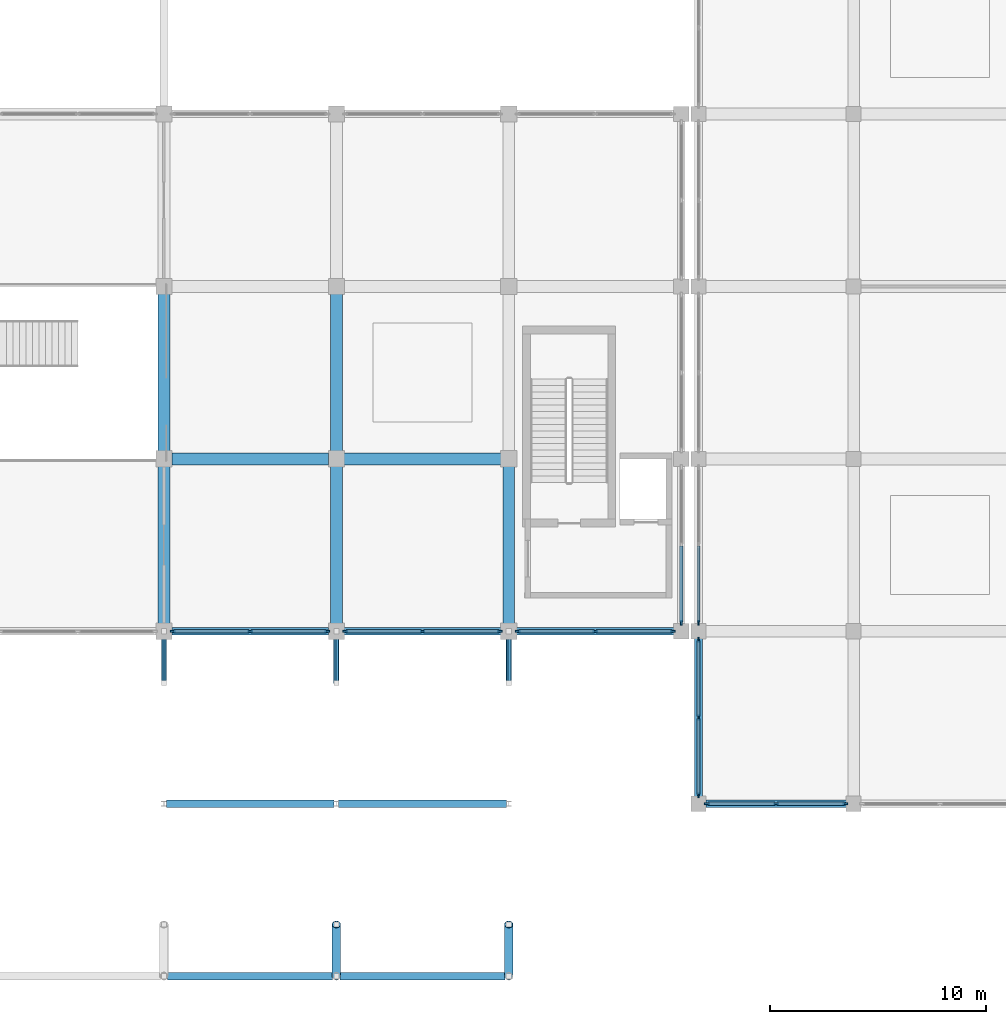
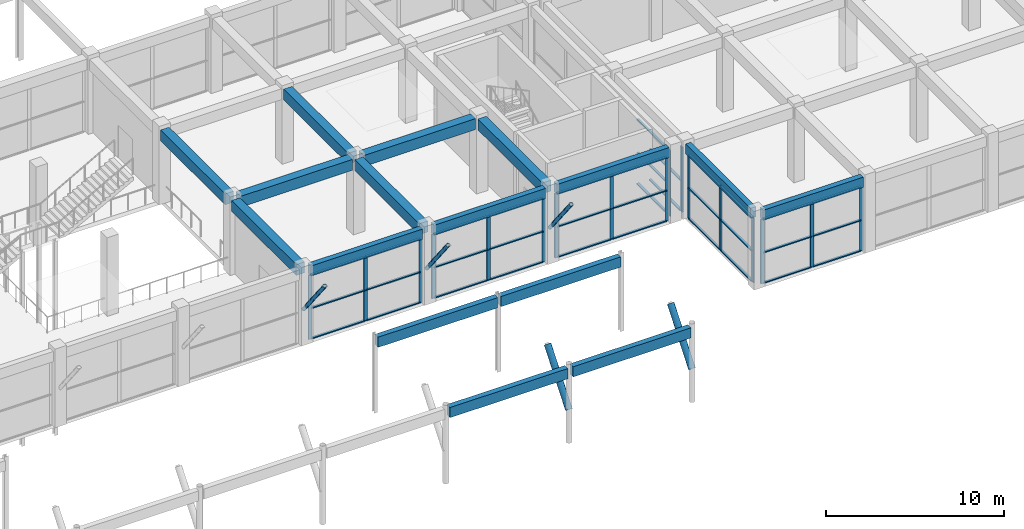
# One storey, part 15 of 69: 57 members, 16 beams, 7 elements without a shape of their own.
"""IFC4 building model written with IfcOpenShell, lengths in metres."""

import ifcopenshell
import ifcopenshell.guid

model = None  # the IFC model being written
_history = None  # IfcOwnerHistory: only IFC2X3 demands one
_inside = {}  # id of a spatial element -> (the spatial element, [elements in it])
_under = {}  # id of a project, library or spatial element -> (it, [spatial elements below it])
_declared = {}  # id of a project -> (the project, [libraries it declares])
_typed = {}  # id of a type object -> (the type object, [elements of that type])
_made_of = {}  # id of a material, layer set ... -> (it, [elements and type objects made of it])


def new_model(schema):
    """Start an empty IFC model of exactly this schema.

    Asked for "IFC4X3", IfcOpenShell would pick the latest addendum, in which some entities
    have other attributes; the version numbers below select the first issue.
    IFC2X3 requires an IfcOwnerHistory on every rooted entity: one is made here for all.
    """
    global model, _history
    if schema == "IFC4X3":
        model = ifcopenshell.file(schema_version=(4, 3, 0, 0))
    else:
        model = ifcopenshell.file(schema=schema)
    _inside.clear()
    _under.clear()
    _declared.clear()
    _typed.clear()
    _made_of.clear()
    _history = None
    if model.schema == "IFC2X3":
        org = make("IfcOrganization", Name="unknown")
        user = make(
            "IfcPersonAndOrganization",
            ThePerson=make("IfcPerson", FamilyName="unknown"),
            TheOrganization=org,
        )
        app = make(
            "IfcApplication",
            ApplicationDeveloper=org,
            Version="unknown",
            ApplicationFullName="unknown",
            ApplicationIdentifier="unknown",
        )
        _history = make(
            "IfcOwnerHistory",
            OwningUser=user,
            OwningApplication=app,
            ChangeAction="ADDED",
            CreationDate=0,
        )
    return model


def make(cls, **values):
    """One entity of the class cls with the attributes given. An attribute that is None is left unset."""
    return model.create_entity(
        cls, **{name: value for name, value in values.items() if value is not None}
    )


def rooted(cls, **values):
    """An entity with a GlobalId (a new one), such as an element, a storey or a relation."""
    return make(cls, GlobalId=ifcopenshell.guid.new(), OwnerHistory=_history, **values)


def si_unit(unit_type, name, prefix=None):
    """IfcSIUnit, for example si_unit("LENGTHUNIT", "METRE", prefix="MILLI")."""
    return make("IfcSIUnit", UnitType=unit_type, Prefix=prefix, Name=name)


def assignment(units):
    """IfcUnitAssignment: the units of a project."""
    return None if units is None else make("IfcUnitAssignment", Units=units)


def point(xyz):
    """IfcCartesianPoint."""
    return None if xyz is None else make("IfcCartesianPoint", Coordinates=xyz)


def direction(xyz):
    """IfcDirection."""
    return None if xyz is None else make("IfcDirection", DirectionRatios=xyz)


def frame(location, z_axis=None, x_axis=None):
    """IfcAxis2Placement3D, a coordinate frame: its origin and axes. An axis left out is left unset."""
    return make(
        "IfcAxis2Placement3D",
        Location=point(location),
        Axis=direction(z_axis),
        RefDirection=direction(x_axis),
    )


def frame_2d(location, x_axis=None):
    """IfcAxis2Placement2D, a coordinate frame in the plane: its origin and x axis."""
    return make(
        "IfcAxis2Placement2D", Location=point(location), RefDirection=direction(x_axis)
    )


def origin():
    """The frame at (0, 0, 0) with its axes left unset."""
    return frame((0.0, 0.0, 0.0))


def origin_2d():
    """The frame at (0, 0) in the plane with its x axis left unset."""
    return frame_2d((0.0, 0.0))


def place(relative_to, where):
    """IfcLocalPlacement: puts the frame where relative to a parent placement (None: the world)."""
    return make(
        "IfcLocalPlacement", PlacementRelTo=relative_to, RelativePlacement=where
    )


def context(
    kind, dimensions, precision=None, world=None, true_north=None, identifier=None
):
    """IfcGeometricRepresentationContext, for example the 3D "Model" context."""
    return make(
        "IfcGeometricRepresentationContext",
        ContextIdentifier=identifier,
        ContextType=kind,
        CoordinateSpaceDimension=dimensions,
        Precision=precision,
        WorldCoordinateSystem=world,
        TrueNorth=true_north,
    )


def subcontext(parent, identifier, kind, view, scale=None):
    """IfcGeometricRepresentationSubContext, for example "Body" below "Model"."""
    return make(
        "IfcGeometricRepresentationSubContext",
        ContextIdentifier=identifier,
        ContextType=kind,
        ParentContext=parent,
        TargetScale=scale,
        TargetView=view,
    )


def project(units=None, contexts=None):
    """IfcProject with its units and contexts."""
    return rooted(
        "IfcProject",
        Name="project",
        RepresentationContexts=contexts,
        UnitsInContext=assignment(units),
    )


def spatial(cls, under=None, at=None, **own):
    """A site, building, storey or space (cls), placed at a placement, below another one or the project."""
    s = rooted(cls, ObjectPlacement=at, **own)
    if under is not None:
        _under.setdefault(under.id(), (under, []))[1].append(s)
    return s


def profile(cls, at=None, kind="AREA", **sizes):
    """A parametric profile (cls). Its sizes go by their IFC names, for example OverallWidth=200.0."""
    return make(cls, ProfileType=kind, Position=at, **sizes)


def rectangle(**sizes):
    """IfcRectangleProfileDef."""
    return profile("IfcRectangleProfileDef", **sizes)


def hollow_circle(**sizes):
    """IfcCircleHollowProfileDef."""
    return profile("IfcCircleHollowProfileDef", **sizes)


def extrude(swept, where, along, depth):
    """IfcExtrudedAreaSolid: the profile swept, set in the frame where, extruded along a direction by depth."""
    return make(
        "IfcExtrudedAreaSolid",
        SweptArea=swept,
        Position=where,
        ExtrudedDirection=direction(along),
        Depth=depth,
    )


def shape(context_of_items, identifier, shape_type, items):
    """IfcShapeRepresentation: the items that make up one representation, for example the "Body"."""
    return make(
        "IfcShapeRepresentation",
        ContextOfItems=context_of_items,
        RepresentationIdentifier=identifier,
        RepresentationType=shape_type,
        Items=items,
    )


def material(Name=None, Category=None):
    """IfcMaterial."""
    return make("IfcMaterial", Name=Name, Category=Category)


def material_profile(
    of_material, cross_section, Name=None, Category=None, Priority=None
):
    """IfcMaterialProfile: a cross section and its material."""
    return make(
        "IfcMaterialProfile",
        Name=Name,
        Material=of_material,
        Profile=cross_section,
        Priority=Priority,
        Category=Category,
    )


def profile_set(profiles, Name=None, composite=None):
    """IfcMaterialProfileSet."""
    return make(
        "IfcMaterialProfileSet",
        Name=Name,
        MaterialProfiles=profiles,
        CompositeProfile=composite,
    )


def made_of(thing, what):
    """Note that an element or type object is made of a material, layer set ...; save() writes the relation."""
    if what is not None:
        _made_of.setdefault(what.id(), (what, []))[1].append(thing)
    return thing


def type_object(cls, material=None, **own):
    """A type object (cls), such as IfcWallType, which elements share."""
    return made_of(rooted(cls, **own), material)


def element(
    cls,
    number,
    at=None,
    inside=None,
    cuts=None,
    type_object=None,
    material=None,
    context=None,
    identifier="Body",
    shape_type=None,
    held_by="IfcProductDefinitionShape",
    body=None,
    shapes=None,
    **own,
):
    """One element of the class cls, such as IfcWall. Its Tag is "e" and its number.

    at: its placement. inside: the storey or other place that contains it. cuts: it is an
    opening in that element (IfcRelVoidsElement). A single representation is given by context,
    identifier, shape_type and body (its items); several are given by shapes. held_by: the class
    of the entity that holds the representations. save() writes the other relations.
    """
    e = rooted(cls, Tag="e%d" % number, ObjectPlacement=at, **own)
    if body is not None:
        shapes = [shape(context, identifier, shape_type, body)]
    if shapes is not None:
        e.Representation = make(held_by, Representations=shapes)
    if inside is not None:
        _inside.setdefault(inside.id(), (inside, []))[1].append(e)
    if cuts is not None:
        rooted(
            "IfcRelVoidsElement", RelatingBuildingElement=cuts, RelatedOpeningElement=e
        )
    if type_object is not None:
        _typed.setdefault(type_object.id(), (type_object, []))[1].append(e)
    return made_of(e, material)


def aggregate(whole, parts):
    """IfcRelAggregates: a whole, such as a stair, and the parts it consists of."""
    return rooted("IfcRelAggregates", RelatingObject=whole, RelatedObjects=parts)


def save(model, path):
    """Write the relations noted so far, then the file.

    IfcRelAggregates (storeys below a building ...), IfcRelContainedInSpatialStructure (elements
    in a storey), IfcRelDefinesByType, IfcRelAssociatesMaterial and IfcRelDeclares: one each for
    every whole, place, type object, material and project.
    """
    for whole, parts in _under.values():
        aggregate(whole, parts)
    for where, things in _inside.values():
        rooted(
            "IfcRelContainedInSpatialStructure",
            RelatedElements=things,
            RelatingStructure=where,
        )
    for kind, things in _typed.values():
        rooted("IfcRelDefinesByType", RelatedObjects=things, RelatingType=kind)
    for what, things in _made_of.values():
        rooted("IfcRelAssociatesMaterial", RelatedObjects=things, RelatingMaterial=what)
    for by, libraries in _declared.values():
        rooted("IfcRelDeclares", RelatingContext=by, RelatedDefinitions=libraries)
    model.write(path)


model = new_model("IFC4")

# Units and contexts
model_context = context("Model", 3, precision=1e-05, world=origin(), true_north=direction((0.0, 1.0)))
body_context = subcontext(model_context, "Body", "Model", "MODEL_VIEW")
ifc_project = project(units=[si_unit("LENGTHUNIT", "METRE"), si_unit("AREAUNIT", "SQUARE_METRE"), si_unit("VOLUMEUNIT", "CUBIC_METRE"), si_unit("PLANEANGLEUNIT", "RADIAN"), si_unit("MASSUNIT", "GRAM", prefix="KILO")], contexts=[model_context])

# Site, building, storey
site_placement = place(None, origin())
site = spatial("IfcSite", under=ifc_project, at=site_placement, CompositionType="ELEMENT")
building_placement = place(site_placement, origin())
building = spatial("IfcBuilding", under=site, at=building_placement, Name="Kenh Van Central Station", CompositionType="ELEMENT")
storey_placement = place(building_placement, frame((0.0, 0.0, 5.39990234375)))
storey = spatial("IfcBuildingStorey", under=building, at=storey_placement, Name="L01", CompositionType="ELEMENT", Elevation=5.39990234375)

# Beams
ifc_material_1 = material(Name="Concrete C35/45", Category="concrete")
ifc_material_profile_1 = material_profile(ifc_material_1, rectangle(XDim=0.550048828125, YDim=0.75, at=origin_2d()), Name="RC 550x750")
ifc_profile_set_1 = profile_set([ifc_material_profile_1], Name="Concrete C35/45")
beam_type_1 = type_object("IfcBeamType", Name="BM-RC-550x750", PredefinedType="BEAM", material=ifc_profile_set_1)
for number, where, z_axis, x_axis, name in (
    (1, (96.364990234375, 24.0, 4.755126953125), (1.0, 0.0, 0.0), (0.0, 1.0, 0.0), "L01 beam 0663"),
    (2, (104.364990234375, 24.0, 4.755126953125), (1.0, 0.0, 0.0), (0.0, 1.0, 0.0), "L01 beam 0664"),
    (3, (96.0, 16.364990234375, 4.755126953125), (0.0, 1.0, 0.0), (-1.0, 0.0, 0.0), "L01 beam 0827"),
    (4, (96.0, 24.364990234375, 4.755126953125), (0.0, 1.0, 0.0), (-1.0, 0.0, 0.0), "L01 beam 0828"),
    (5, (104.0, 16.364990234375, 4.755126953125), (0.0, 1.0, 0.0), (-1.0, 0.0, 0.0), "L01 beam 0833"),
    (6, (104.0, 24.364990234375, 4.755126953125), (0.0, 1.0, 0.0), (-1.0, 0.0, 0.0), "L01 beam 0834"),
    (7, (112.0, 16.364990234375, 4.755126953125), (0.0, 1.0, 0.0), (-1.0, 0.0, 0.0), "L01 beam 0836"),
):
    element("IfcBeam", number, at=place(storey_placement, frame(where, z_axis=z_axis, x_axis=x_axis)), inside=storey, type_object=beam_type_1, Name=name, PredefinedType="BEAM", context=body_context, shape_type="SweptSolid", body=[
        extrude(rectangle(XDim=0.550048828125, YDim=0.75, at=origin_2d()), origin(), (0.0, 0.0, 1.0), 7.27001953125),
    ])

# Curtain wall, members
ifc_material_2 = material(Name="Champagne anodised aluminium", Category="aluminium")
curtain_wall_type_1 = type_object("IfcCurtainWallType", Name="CW-OPER-A", PredefinedType="NOTDEFINED", material=ifc_material_2)
curtain_wall_1_placement = place(storey_placement, origin())
curtain_wall_1 = element("IfcCurtainWall", 8, at=curtain_wall_1_placement, inside=storey, type_object=curtain_wall_type_1, Name="L01 curtain wall 130", PredefinedType="NOTDEFINED")
ifc_material_profile_2 = material_profile(ifc_material_2, rectangle(XDim=0.087890625, YDim=0.239990234375, at=origin_2d()), Name="AL 88x240")
ifc_profile_set_2 = profile_set([ifc_material_profile_2], Name="Champagne anodised aluminium")
member_type_1 = type_object("IfcMemberType", Name="CWM-60x140", PredefinedType="MULLION", material=ifc_profile_set_2)
member_1_placement = place(storey_placement, frame((121.194091796875, 8.0, 0.0), z_axis=(0.0, 0.0, 1.0), x_axis=(0.0, 1.0, 0.0)))
member_1 = element("IfcMember", 9, at=member_1_placement, type_object=member_type_1, Name="CW-07 mullion 1", PredefinedType="MULLION", context=body_context, shape_type="SweptSolid", body=[
    extrude(rectangle(XDim=0.087890625, YDim=0.239990234375, at=origin_2d()), origin(), (0.0, 0.0, 1.0), 4.440185546875),
])
member_2_placement = place(storey_placement, frame((124.39990234375, 8.0, 0.0), z_axis=(0.0, 0.0, 1.0), x_axis=(0.0, 1.0, 0.0)))
member_2 = element("IfcMember", 10, at=member_2_placement, type_object=member_type_1, Name="CW-07 mullion 2", PredefinedType="MULLION", context=body_context, shape_type="SweptSolid", body=[
    extrude(rectangle(XDim=0.087890625, YDim=0.239990234375, at=origin_2d()), origin(), (0.0, 0.0, 1.0), 4.440185546875),
])
member_3_placement = place(storey_placement, frame((127.60595703125, 8.0, 0.0), z_axis=(0.0, 0.0, 1.0), x_axis=(0.0, 1.0, 0.0)))
member_3 = element("IfcMember", 11, at=member_3_placement, type_object=member_type_1, Name="CW-07 mullion 3", PredefinedType="MULLION", context=body_context, shape_type="SweptSolid", body=[
    extrude(rectangle(XDim=0.087890625, YDim=0.239990234375, at=origin_2d()), origin(), (0.0, 0.0, 1.0), 4.440185546875),
])

# Curtain wall, member
curtain_wall_type_2 = type_object("IfcCurtainWallType", Name="CW-OPER-B", PredefinedType="NOTDEFINED", material=ifc_material_2)
curtain_wall_2_placement = place(storey_placement, origin())
curtain_wall_2 = element("IfcCurtainWall", 12, at=curtain_wall_2_placement, inside=storey, type_object=curtain_wall_type_2, Name="L01 curtain wall 157", PredefinedType="NOTDEFINED")
member_4_placement = place(storey_placement, frame((120.800048828125, 16.39404296875, 0.0), z_axis=(0.0, 0.0, 1.0), x_axis=(1.0, 0.0, 0.0)))
member_4 = element("IfcMember", 13, at=member_4_placement, type_object=member_type_1, Name="CW-08 mullion 3", PredefinedType="MULLION", context=body_context, shape_type="SweptSolid", body=[
    extrude(rectangle(XDim=0.087890625, YDim=0.239990234375, at=origin_2d()), origin(), (0.0, 0.0, 1.0), 4.440185546875),
])

# Curtain wall, members
curtain_wall_3_placement = place(storey_placement, origin())
curtain_wall_3 = element("IfcCurtainWall", 14, at=curtain_wall_3_placement, inside=storey, type_object=curtain_wall_type_2, Name="L01 curtain wall 158", PredefinedType="NOTDEFINED")
member_5_placement = place(storey_placement, frame((120.800048828125, 15.60595703125, 0.0), z_axis=(0.0, 0.0, 1.0), x_axis=(1.0, 0.0, 0.0)))
member_5 = element("IfcMember", 15, at=member_5_placement, type_object=member_type_1, Name="CW-08 mullion 1", PredefinedType="MULLION", context=body_context, shape_type="SweptSolid", body=[
    extrude(rectangle(XDim=0.087890625, YDim=0.239990234375, at=origin_2d()), origin(), (0.0, 0.0, 1.0), 4.440185546875),
])
member_6_placement = place(storey_placement, frame((120.800048828125, 12.0, 0.0), z_axis=(0.0, 0.0, 1.0), x_axis=(1.0, 0.0, 0.0)))
member_6 = element("IfcMember", 16, at=member_6_placement, type_object=member_type_1, Name="CW-08 mullion 2", PredefinedType="MULLION", context=body_context, shape_type="SweptSolid", body=[
    extrude(rectangle(XDim=0.087890625, YDim=0.239990234375, at=origin_2d()), origin(), (0.0, 0.0, 1.0), 4.440185546875),
])
member_7_placement = place(storey_placement, frame((120.800048828125, 8.39404296875, 0.0), z_axis=(0.0, 0.0, 1.0), x_axis=(1.0, 0.0, 0.0)))
member_7 = element("IfcMember", 17, at=member_7_placement, type_object=member_type_1, Name="CW-08 mullion 3", PredefinedType="MULLION", context=body_context, shape_type="SweptSolid", body=[
    extrude(rectangle(XDim=0.087890625, YDim=0.239990234375, at=origin_2d()), origin(), (0.0, 0.0, 1.0), 4.440185546875),
])

curtain_wall_type_3 = type_object("IfcCurtainWallType", Name="CW-CONC-A", PredefinedType="NOTDEFINED", material=ifc_material_2)
curtain_wall_4_placement = place(storey_placement, origin())
curtain_wall_4 = element("IfcCurtainWall", 18, at=curtain_wall_4_placement, inside=storey, type_object=curtain_wall_type_3, Name="L01 curtain wall 109", PredefinedType="NOTDEFINED")
ifc_material_profile_3 = material_profile(ifc_material_2, rectangle(XDim=0.08203125, YDim=0.22509765625, at=origin_2d()), Name="AL 82x225")
ifc_profile_set_3 = profile_set([ifc_material_profile_3], Name="Champagne anodised aluminium")
member_type_2 = type_object("IfcMemberType", Name="CWM-70x180", PredefinedType="MULLION", material=ifc_profile_set_3)
member_8_placement = place(storey_placement, frame((96.416015625, 16.0, 0.0), z_axis=(0.0, 0.0, 1.0), x_axis=(0.0, 1.0, 0.0)))
member_8 = element("IfcMember", 19, at=member_8_placement, type_object=member_type_2, Name="CW-03 mullion 1", PredefinedType="MULLION", context=body_context, shape_type="SweptSolid", body=[
    extrude(rectangle(XDim=0.08203125, YDim=0.22509765625, at=origin_2d()), origin(), (0.0, 0.0, 1.0), 4.43017578125),
])
member_9_placement = place(storey_placement, frame((100.0, 16.0, 0.0), z_axis=(0.0, 0.0, 1.0), x_axis=(0.0, 1.0, 0.0)))
member_9 = element("IfcMember", 20, at=member_9_placement, type_object=member_type_2, Name="CW-03 mullion 2", PredefinedType="MULLION", context=body_context, shape_type="SweptSolid", body=[
    extrude(rectangle(XDim=0.08203125, YDim=0.22509765625, at=origin_2d()), origin(), (0.0, 0.0, 1.0), 4.43017578125),
])
member_10_placement = place(storey_placement, frame((103.583984375, 16.0, 0.0), z_axis=(0.0, 0.0, 1.0), x_axis=(0.0, 1.0, 0.0)))
member_10 = element("IfcMember", 21, at=member_10_placement, type_object=member_type_2, Name="CW-03 mullion 3", PredefinedType="MULLION", context=body_context, shape_type="SweptSolid", body=[
    extrude(rectangle(XDim=0.08203125, YDim=0.22509765625, at=origin_2d()), origin(), (0.0, 0.0, 1.0), 4.43017578125),
])

curtain_wall_5_placement = place(storey_placement, origin())
curtain_wall_5 = element("IfcCurtainWall", 22, at=curtain_wall_5_placement, inside=storey, type_object=curtain_wall_type_3, Name="L01 curtain wall 110", PredefinedType="NOTDEFINED")
member_11_placement = place(storey_placement, frame((104.416015625, 16.0, 0.0), z_axis=(0.0, 0.0, 1.0), x_axis=(0.0, 1.0, 0.0)))
member_11 = element("IfcMember", 23, at=member_11_placement, type_object=member_type_2, Name="CW-03 mullion 1", PredefinedType="MULLION", context=body_context, shape_type="SweptSolid", body=[
    extrude(rectangle(XDim=0.08203125, YDim=0.22509765625, at=origin_2d()), origin(), (0.0, 0.0, 1.0), 4.43017578125),
])
member_12_placement = place(storey_placement, frame((108.0, 16.0, 0.0), z_axis=(0.0, 0.0, 1.0), x_axis=(0.0, 1.0, 0.0)))
member_12 = element("IfcMember", 24, at=member_12_placement, type_object=member_type_2, Name="CW-03 mullion 2", PredefinedType="MULLION", context=body_context, shape_type="SweptSolid", body=[
    extrude(rectangle(XDim=0.08203125, YDim=0.22509765625, at=origin_2d()), origin(), (0.0, 0.0, 1.0), 4.43017578125),
])
member_13_placement = place(storey_placement, frame((111.583984375, 16.0, 0.0), z_axis=(0.0, 0.0, 1.0), x_axis=(0.0, 1.0, 0.0)))
member_13 = element("IfcMember", 25, at=member_13_placement, type_object=member_type_2, Name="CW-03 mullion 3", PredefinedType="MULLION", context=body_context, shape_type="SweptSolid", body=[
    extrude(rectangle(XDim=0.08203125, YDim=0.22509765625, at=origin_2d()), origin(), (0.0, 0.0, 1.0), 4.43017578125),
])

curtain_wall_6_placement = place(storey_placement, origin())
curtain_wall_6 = element("IfcCurtainWall", 26, at=curtain_wall_6_placement, inside=storey, type_object=curtain_wall_type_3, Name="L01 curtain wall 111", PredefinedType="NOTDEFINED")
member_14_placement = place(storey_placement, frame((112.416015625, 16.0, 0.0), z_axis=(0.0, 0.0, 1.0), x_axis=(0.0, 1.0, 0.0)))
member_14 = element("IfcMember", 27, at=member_14_placement, type_object=member_type_2, Name="CW-03 mullion 1", PredefinedType="MULLION", context=body_context, shape_type="SweptSolid", body=[
    extrude(rectangle(XDim=0.08203125, YDim=0.22509765625, at=origin_2d()), origin(), (0.0, 0.0, 1.0), 4.43017578125),
])
member_15_placement = place(storey_placement, frame((116.012451171875, 16.0, 0.0), z_axis=(0.0, 0.0, 1.0), x_axis=(0.0, 1.0, 0.0)))
member_15 = element("IfcMember", 28, at=member_15_placement, type_object=member_type_2, Name="CW-03 mullion 2", PredefinedType="MULLION", context=body_context, shape_type="SweptSolid", body=[
    extrude(rectangle(XDim=0.08203125, YDim=0.22509765625, at=origin_2d()), origin(), (0.0, 0.0, 1.0), 4.43017578125),
])
member_16_placement = place(storey_placement, frame((119.60888671875, 16.0, 0.0), z_axis=(0.0, 0.0, 1.0), x_axis=(0.0, 1.0, 0.0)))
member_16 = element("IfcMember", 29, at=member_16_placement, type_object=member_type_2, Name="CW-03 mullion 3", PredefinedType="MULLION", context=body_context, shape_type="SweptSolid", body=[
    extrude(rectangle(XDim=0.08203125, YDim=0.22509765625, at=origin_2d()), origin(), (0.0, 0.0, 1.0), 4.43017578125),
])

# Curtain wall, member
curtain_wall_type_4 = type_object("IfcCurtainWallType", Name="CW-CONC-B", PredefinedType="NOTDEFINED", material=ifc_material_2)
curtain_wall_7_placement = place(storey_placement, origin())
curtain_wall_7 = element("IfcCurtainWall", 30, at=curtain_wall_7_placement, inside=storey, type_object=curtain_wall_type_4, Name="L01 curtain wall 121", PredefinedType="NOTDEFINED")
member_17_placement = place(storey_placement, frame((120.0, 16.39111328125, 0.0), z_axis=(0.0, 0.0, 1.0), x_axis=(-1.0, 0.0, 0.0)))
member_17 = element("IfcMember", 31, at=member_17_placement, type_object=member_type_2, Name="CW-04 mullion 1", PredefinedType="MULLION", context=body_context, shape_type="SweptSolid", body=[
    extrude(rectangle(XDim=0.08203125, YDim=0.22509765625, at=origin_2d()), origin(), (0.0, 0.0, 1.0), 4.47998046875),
])

# Member
ifc_material_profile_4 = material_profile(ifc_material_2, rectangle(XDim=0.155029296875, YDim=0.072021484375, at=origin_2d()), Name="AL 155x72")
ifc_profile_set_4 = profile_set([ifc_material_profile_4], Name="Champagne anodised aluminium")
member_type_3 = type_object("IfcMemberType", Name="CWT-120x60", PredefinedType="USERDEFINED", material=ifc_profile_set_4)
member_18_placement = place(storey_placement, frame((96.45703125, 16.0, 0.0361328125), z_axis=(1.0, 0.0, 0.0), x_axis=(0.0, 1.0, 0.0)))
member_18 = element("IfcMember", 32, at=member_18_placement, type_object=member_type_3, Name="CW-03 transom 1.1", ObjectType="TRANSOM", PredefinedType="USERDEFINED", context=body_context, shape_type="SweptSolid", body=[
    extrude(rectangle(XDim=0.155029296875, YDim=0.072021484375, at=origin_2d()), origin(), (0.0, 0.0, 1.0), 3.501953125),
])

member_19_placement = place(storey_placement, frame((96.45703125, 16.0, 2.12646484375), z_axis=(1.0, 0.0, 0.0), x_axis=(0.0, 1.0, 0.0)))
member_19 = element("IfcMember", 33, at=member_19_placement, type_object=member_type_3, Name="CW-03 transom 1.2", ObjectType="TRANSOM", PredefinedType="USERDEFINED", context=body_context, shape_type="SweptSolid", body=[
    extrude(rectangle(XDim=0.155029296875, YDim=0.072021484375, at=origin_2d()), origin(), (0.0, 0.0, 1.0), 3.501953125),
])

member_20_placement = place(storey_placement, frame((96.45703125, 16.0, 4.39404296875), z_axis=(1.0, 0.0, 0.0), x_axis=(0.0, 1.0, 0.0)))
member_20 = element("IfcMember", 34, at=member_20_placement, type_object=member_type_3, Name="CW-03 transom 1.3", ObjectType="TRANSOM", PredefinedType="USERDEFINED", context=body_context, shape_type="SweptSolid", body=[
    extrude(rectangle(XDim=0.155029296875, YDim=0.072021484375, at=origin_2d()), origin(), (0.0, 0.0, 1.0), 3.501953125),
])

member_21_placement = place(storey_placement, frame((100.041015625, 16.0, 0.0361328125), z_axis=(1.0, 0.0, 0.0), x_axis=(0.0, 1.0, 0.0)))
member_21 = element("IfcMember", 35, at=member_21_placement, type_object=member_type_3, Name="CW-03 transom 2.1", ObjectType="TRANSOM", PredefinedType="USERDEFINED", context=body_context, shape_type="SweptSolid", body=[
    extrude(rectangle(XDim=0.155029296875, YDim=0.072021484375, at=origin_2d()), origin(), (0.0, 0.0, 1.0), 3.501953125),
])

member_22_placement = place(storey_placement, frame((100.041015625, 16.0, 2.12646484375), z_axis=(1.0, 0.0, 0.0), x_axis=(0.0, 1.0, 0.0)))
member_22 = element("IfcMember", 36, at=member_22_placement, type_object=member_type_3, Name="CW-03 transom 2.2", ObjectType="TRANSOM", PredefinedType="USERDEFINED", context=body_context, shape_type="SweptSolid", body=[
    extrude(rectangle(XDim=0.155029296875, YDim=0.072021484375, at=origin_2d()), origin(), (0.0, 0.0, 1.0), 3.501953125),
])

member_23_placement = place(storey_placement, frame((100.041015625, 16.0, 4.39404296875), z_axis=(1.0, 0.0, 0.0), x_axis=(0.0, 1.0, 0.0)))
member_23 = element("IfcMember", 37, at=member_23_placement, type_object=member_type_3, Name="CW-03 transom 2.3", ObjectType="TRANSOM", PredefinedType="USERDEFINED", context=body_context, shape_type="SweptSolid", body=[
    extrude(rectangle(XDim=0.155029296875, YDim=0.072021484375, at=origin_2d()), origin(), (0.0, 0.0, 1.0), 3.501953125),
])

aggregate(curtain_wall_4, [member_8, member_9, member_10, member_18, member_19, member_20, member_21, member_22, member_23])

member_24_placement = place(storey_placement, frame((104.45703125, 16.0, 0.0361328125), z_axis=(1.0, 0.0, 0.0), x_axis=(0.0, 1.0, 0.0)))
member_24 = element("IfcMember", 38, at=member_24_placement, type_object=member_type_3, Name="CW-03 transom 1.1", ObjectType="TRANSOM", PredefinedType="USERDEFINED", context=body_context, shape_type="SweptSolid", body=[
    extrude(rectangle(XDim=0.155029296875, YDim=0.072021484375, at=origin_2d()), origin(), (0.0, 0.0, 1.0), 3.501953125),
])

member_25_placement = place(storey_placement, frame((104.45703125, 16.0, 2.12646484375), z_axis=(1.0, 0.0, 0.0), x_axis=(0.0, 1.0, 0.0)))
member_25 = element("IfcMember", 39, at=member_25_placement, type_object=member_type_3, Name="CW-03 transom 1.2", ObjectType="TRANSOM", PredefinedType="USERDEFINED", context=body_context, shape_type="SweptSolid", body=[
    extrude(rectangle(XDim=0.155029296875, YDim=0.072021484375, at=origin_2d()), origin(), (0.0, 0.0, 1.0), 3.501953125),
])

member_26_placement = place(storey_placement, frame((104.45703125, 16.0, 4.39404296875), z_axis=(1.0, 0.0, 0.0), x_axis=(0.0, 1.0, 0.0)))
member_26 = element("IfcMember", 40, at=member_26_placement, type_object=member_type_3, Name="CW-03 transom 1.3", ObjectType="TRANSOM", PredefinedType="USERDEFINED", context=body_context, shape_type="SweptSolid", body=[
    extrude(rectangle(XDim=0.155029296875, YDim=0.072021484375, at=origin_2d()), origin(), (0.0, 0.0, 1.0), 3.501953125),
])

member_27_placement = place(storey_placement, frame((108.041015625, 16.0, 0.0361328125), z_axis=(1.0, 0.0, 0.0), x_axis=(0.0, 1.0, 0.0)))
member_27 = element("IfcMember", 41, at=member_27_placement, type_object=member_type_3, Name="CW-03 transom 2.1", ObjectType="TRANSOM", PredefinedType="USERDEFINED", context=body_context, shape_type="SweptSolid", body=[
    extrude(rectangle(XDim=0.155029296875, YDim=0.072021484375, at=origin_2d()), origin(), (0.0, 0.0, 1.0), 3.501953125),
])

member_28_placement = place(storey_placement, frame((108.041015625, 16.0, 2.12646484375), z_axis=(1.0, 0.0, 0.0), x_axis=(0.0, 1.0, 0.0)))
member_28 = element("IfcMember", 42, at=member_28_placement, type_object=member_type_3, Name="CW-03 transom 2.2", ObjectType="TRANSOM", PredefinedType="USERDEFINED", context=body_context, shape_type="SweptSolid", body=[
    extrude(rectangle(XDim=0.155029296875, YDim=0.072021484375, at=origin_2d()), origin(), (0.0, 0.0, 1.0), 3.501953125),
])

member_29_placement = place(storey_placement, frame((108.041015625, 16.0, 4.39404296875), z_axis=(1.0, 0.0, 0.0), x_axis=(0.0, 1.0, 0.0)))
member_29 = element("IfcMember", 43, at=member_29_placement, type_object=member_type_3, Name="CW-03 transom 2.3", ObjectType="TRANSOM", PredefinedType="USERDEFINED", context=body_context, shape_type="SweptSolid", body=[
    extrude(rectangle(XDim=0.155029296875, YDim=0.072021484375, at=origin_2d()), origin(), (0.0, 0.0, 1.0), 3.501953125),
])

aggregate(curtain_wall_5, [member_11, member_12, member_13, member_24, member_25, member_26, member_27, member_28, member_29])

member_30_placement = place(storey_placement, frame((112.45703125, 16.0, 0.0361328125), z_axis=(1.0, 0.0, 0.0), x_axis=(0.0, 1.0, 0.0)))
member_30 = element("IfcMember", 44, at=member_30_placement, type_object=member_type_3, Name="CW-03 transom 1.1", ObjectType="TRANSOM", PredefinedType="USERDEFINED", context=body_context, shape_type="SweptSolid", body=[
    extrude(rectangle(XDim=0.155029296875, YDim=0.072021484375, at=origin_2d()), origin(), (0.0, 0.0, 1.0), 3.514404296875),
])

member_31_placement = place(storey_placement, frame((112.45703125, 16.0, 2.12646484375), z_axis=(1.0, 0.0, 0.0), x_axis=(0.0, 1.0, 0.0)))
member_31 = element("IfcMember", 45, at=member_31_placement, type_object=member_type_3, Name="CW-03 transom 1.2", ObjectType="TRANSOM", PredefinedType="USERDEFINED", context=body_context, shape_type="SweptSolid", body=[
    extrude(rectangle(XDim=0.155029296875, YDim=0.072021484375, at=origin_2d()), origin(), (0.0, 0.0, 1.0), 3.514404296875),
])

member_32_placement = place(storey_placement, frame((112.45703125, 16.0, 4.39404296875), z_axis=(1.0, 0.0, 0.0), x_axis=(0.0, 1.0, 0.0)))
member_32 = element("IfcMember", 46, at=member_32_placement, type_object=member_type_3, Name="CW-03 transom 1.3", ObjectType="TRANSOM", PredefinedType="USERDEFINED", context=body_context, shape_type="SweptSolid", body=[
    extrude(rectangle(XDim=0.155029296875, YDim=0.072021484375, at=origin_2d()), origin(), (0.0, 0.0, 1.0), 3.514404296875),
])

member_33_placement = place(storey_placement, frame((116.053466796875, 16.0, 0.0361328125), z_axis=(1.0, 0.0, 0.0), x_axis=(0.0, 1.0, 0.0)))
member_33 = element("IfcMember", 47, at=member_33_placement, type_object=member_type_3, Name="CW-03 transom 2.1", ObjectType="TRANSOM", PredefinedType="USERDEFINED", context=body_context, shape_type="SweptSolid", body=[
    extrude(rectangle(XDim=0.155029296875, YDim=0.072021484375, at=origin_2d()), origin(), (0.0, 0.0, 1.0), 3.5146484375),
])

member_34_placement = place(storey_placement, frame((116.053466796875, 16.0, 2.12646484375), z_axis=(1.0, 0.0, 0.0), x_axis=(0.0, 1.0, 0.0)))
member_34 = element("IfcMember", 48, at=member_34_placement, type_object=member_type_3, Name="CW-03 transom 2.2", ObjectType="TRANSOM", PredefinedType="USERDEFINED", context=body_context, shape_type="SweptSolid", body=[
    extrude(rectangle(XDim=0.155029296875, YDim=0.072021484375, at=origin_2d()), origin(), (0.0, 0.0, 1.0), 3.5146484375),
])

member_35_placement = place(storey_placement, frame((116.053466796875, 16.0, 4.39404296875), z_axis=(1.0, 0.0, 0.0), x_axis=(0.0, 1.0, 0.0)))
member_35 = element("IfcMember", 49, at=member_35_placement, type_object=member_type_3, Name="CW-03 transom 2.3", ObjectType="TRANSOM", PredefinedType="USERDEFINED", context=body_context, shape_type="SweptSolid", body=[
    extrude(rectangle(XDim=0.155029296875, YDim=0.072021484375, at=origin_2d()), origin(), (0.0, 0.0, 1.0), 3.5146484375),
])

aggregate(curtain_wall_6, [member_14, member_15, member_16, member_30, member_31, member_32, member_33, member_34, member_35])

member_36_placement = place(storey_placement, frame((120.0, 16.431884765625, 0.0361328125), z_axis=(0.0, 1.0, 0.0), x_axis=(-1.0, 0.0, 0.0)))
member_36 = element("IfcMember", 50, at=member_36_placement, type_object=member_type_3, Name="CW-04 transom 1.1", ObjectType="TRANSOM", PredefinedType="USERDEFINED", context=body_context, shape_type="SweptSolid", body=[
    extrude(rectangle(XDim=0.155029296875, YDim=0.072021484375, at=origin_2d()), origin(), (0.0, 0.0, 1.0), 3.527099609375),
])

member_37_placement = place(storey_placement, frame((120.0, 16.431884765625, 2.150390625), z_axis=(0.0, 1.0, 0.0), x_axis=(-1.0, 0.0, 0.0)))
member_37 = element("IfcMember", 51, at=member_37_placement, type_object=member_type_3, Name="CW-04 transom 1.2", ObjectType="TRANSOM", PredefinedType="USERDEFINED", context=body_context, shape_type="SweptSolid", body=[
    extrude(rectangle(XDim=0.155029296875, YDim=0.072021484375, at=origin_2d()), origin(), (0.0, 0.0, 1.0), 3.527099609375),
])

member_38_placement = place(storey_placement, frame((120.0, 16.431884765625, 4.444091796875), z_axis=(0.0, 1.0, 0.0), x_axis=(-1.0, 0.0, 0.0)))
member_38 = element("IfcMember", 52, at=member_38_placement, type_object=member_type_3, Name="CW-04 transom 1.3", ObjectType="TRANSOM", PredefinedType="USERDEFINED", context=body_context, shape_type="SweptSolid", body=[
    extrude(rectangle(XDim=0.155029296875, YDim=0.072021484375, at=origin_2d()), origin(), (0.0, 0.0, 1.0), 3.527099609375),
])

aggregate(curtain_wall_7, [member_17, member_36, member_37, member_38])

member_39_placement = place(storey_placement, frame((121.238037109375, 8.0, 0.0361328125), z_axis=(1.0, 0.0, 0.0), x_axis=(0.0, 1.0, 0.0)))
member_39 = element("IfcMember", 53, at=member_39_placement, type_object=member_type_3, Name="CW-07 transom 1.1", ObjectType="TRANSOM", PredefinedType="USERDEFINED", context=body_context, shape_type="SweptSolid", body=[
    extrude(rectangle(XDim=0.155029296875, YDim=0.072021484375, at=origin_2d()), origin(), (0.0, 0.0, 1.0), 3.117919921875),
])

member_40_placement = place(storey_placement, frame((121.238037109375, 8.0, 2.13134765625), z_axis=(1.0, 0.0, 0.0), x_axis=(0.0, 1.0, 0.0)))
member_40 = element("IfcMember", 54, at=member_40_placement, type_object=member_type_3, Name="CW-07 transom 1.2", ObjectType="TRANSOM", PredefinedType="USERDEFINED", context=body_context, shape_type="SweptSolid", body=[
    extrude(rectangle(XDim=0.155029296875, YDim=0.072021484375, at=origin_2d()), origin(), (0.0, 0.0, 1.0), 3.117919921875),
])

member_41_placement = place(storey_placement, frame((121.238037109375, 8.0, 4.404052734375), z_axis=(1.0, 0.0, 0.0), x_axis=(0.0, 1.0, 0.0)))
member_41 = element("IfcMember", 55, at=member_41_placement, type_object=member_type_3, Name="CW-07 transom 1.3", ObjectType="TRANSOM", PredefinedType="USERDEFINED", context=body_context, shape_type="SweptSolid", body=[
    extrude(rectangle(XDim=0.155029296875, YDim=0.072021484375, at=origin_2d()), origin(), (0.0, 0.0, 1.0), 3.117919921875),
])

member_42_placement = place(storey_placement, frame((124.444091796875, 8.0, 0.0361328125), z_axis=(1.0, 0.0, 0.0), x_axis=(0.0, 1.0, 0.0)))
member_42 = element("IfcMember", 56, at=member_42_placement, type_object=member_type_3, Name="CW-07 transom 2.1", ObjectType="TRANSOM", PredefinedType="USERDEFINED", context=body_context, shape_type="SweptSolid", body=[
    extrude(rectangle(XDim=0.155029296875, YDim=0.072021484375, at=origin_2d()), origin(), (0.0, 0.0, 1.0), 3.117919921875),
])

member_43_placement = place(storey_placement, frame((124.444091796875, 8.0, 2.13134765625), z_axis=(1.0, 0.0, 0.0), x_axis=(0.0, 1.0, 0.0)))
member_43 = element("IfcMember", 57, at=member_43_placement, type_object=member_type_3, Name="CW-07 transom 2.2", ObjectType="TRANSOM", PredefinedType="USERDEFINED", context=body_context, shape_type="SweptSolid", body=[
    extrude(rectangle(XDim=0.155029296875, YDim=0.072021484375, at=origin_2d()), origin(), (0.0, 0.0, 1.0), 3.117919921875),
])

member_44_placement = place(storey_placement, frame((124.444091796875, 8.0, 4.404052734375), z_axis=(1.0, 0.0, 0.0), x_axis=(0.0, 1.0, 0.0)))
member_44 = element("IfcMember", 58, at=member_44_placement, type_object=member_type_3, Name="CW-07 transom 2.3", ObjectType="TRANSOM", PredefinedType="USERDEFINED", context=body_context, shape_type="SweptSolid", body=[
    extrude(rectangle(XDim=0.155029296875, YDim=0.072021484375, at=origin_2d()), origin(), (0.0, 0.0, 1.0), 3.117919921875),
])

aggregate(curtain_wall_1, [member_1, member_2, member_3, member_39, member_40, member_41, member_42, member_43, member_44])

member_45_placement = place(storey_placement, frame((120.800048828125, 19.9560546875, 0.0361328125), z_axis=(0.0, -1.0, 0.0), x_axis=(1.0, 0.0, 0.0)))
member_45 = element("IfcMember", 59, at=member_45_placement, type_object=member_type_3, Name="CW-08 transom 2.1", ObjectType="TRANSOM", PredefinedType="USERDEFINED", context=body_context, shape_type="SweptSolid", body=[
    extrude(rectangle(XDim=0.155029296875, YDim=0.072021484375, at=origin_2d()), origin(), (0.0, 0.0, 1.0), 3.51806640625),
])

member_46_placement = place(storey_placement, frame((120.800048828125, 19.9560546875, 2.13134765625), z_axis=(0.0, -1.0, 0.0), x_axis=(1.0, 0.0, 0.0)))
member_46 = element("IfcMember", 60, at=member_46_placement, type_object=member_type_3, Name="CW-08 transom 2.2", ObjectType="TRANSOM", PredefinedType="USERDEFINED", context=body_context, shape_type="SweptSolid", body=[
    extrude(rectangle(XDim=0.155029296875, YDim=0.072021484375, at=origin_2d()), origin(), (0.0, 0.0, 1.0), 3.51806640625),
])

aggregate(curtain_wall_2, [member_4, member_45, member_46])

member_47_placement = place(storey_placement, frame((120.800048828125, 15.56201171875, 0.0361328125), z_axis=(0.0, -1.0, 0.0), x_axis=(1.0, 0.0, 0.0)))
member_47 = element("IfcMember", 61, at=member_47_placement, type_object=member_type_3, Name="CW-08 transom 1.1", ObjectType="TRANSOM", PredefinedType="USERDEFINED", context=body_context, shape_type="SweptSolid", body=[
    extrude(rectangle(XDim=0.155029296875, YDim=0.072021484375, at=origin_2d()), origin(), (0.0, 0.0, 1.0), 3.51806640625),
])

member_48_placement = place(storey_placement, frame((120.800048828125, 15.56201171875, 2.13134765625), z_axis=(0.0, -1.0, 0.0), x_axis=(1.0, 0.0, 0.0)))
member_48 = element("IfcMember", 62, at=member_48_placement, type_object=member_type_3, Name="CW-08 transom 1.2", ObjectType="TRANSOM", PredefinedType="USERDEFINED", context=body_context, shape_type="SweptSolid", body=[
    extrude(rectangle(XDim=0.155029296875, YDim=0.072021484375, at=origin_2d()), origin(), (0.0, 0.0, 1.0), 3.51806640625),
])

member_49_placement = place(storey_placement, frame((120.800048828125, 15.56201171875, 4.404052734375), z_axis=(0.0, -1.0, 0.0), x_axis=(1.0, 0.0, 0.0)))
member_49 = element("IfcMember", 63, at=member_49_placement, type_object=member_type_3, Name="CW-08 transom 1.3", ObjectType="TRANSOM", PredefinedType="USERDEFINED", context=body_context, shape_type="SweptSolid", body=[
    extrude(rectangle(XDim=0.155029296875, YDim=0.072021484375, at=origin_2d()), origin(), (0.0, 0.0, 1.0), 3.51806640625),
])

member_50_placement = place(storey_placement, frame((120.800048828125, 11.9560546875, 0.0361328125), z_axis=(0.0, -1.0, 0.0), x_axis=(1.0, 0.0, 0.0)))
member_50 = element("IfcMember", 64, at=member_50_placement, type_object=member_type_3, Name="CW-08 transom 2.1", ObjectType="TRANSOM", PredefinedType="USERDEFINED", context=body_context, shape_type="SweptSolid", body=[
    extrude(rectangle(XDim=0.155029296875, YDim=0.072021484375, at=origin_2d()), origin(), (0.0, 0.0, 1.0), 3.51806640625),
])

member_51_placement = place(storey_placement, frame((120.800048828125, 11.9560546875, 2.13134765625), z_axis=(0.0, -1.0, 0.0), x_axis=(1.0, 0.0, 0.0)))
member_51 = element("IfcMember", 65, at=member_51_placement, type_object=member_type_3, Name="CW-08 transom 2.2", ObjectType="TRANSOM", PredefinedType="USERDEFINED", context=body_context, shape_type="SweptSolid", body=[
    extrude(rectangle(XDim=0.155029296875, YDim=0.072021484375, at=origin_2d()), origin(), (0.0, 0.0, 1.0), 3.51806640625),
])

member_52_placement = place(storey_placement, frame((120.800048828125, 11.9560546875, 4.404052734375), z_axis=(0.0, -1.0, 0.0), x_axis=(1.0, 0.0, 0.0)))
member_52 = element("IfcMember", 66, at=member_52_placement, type_object=member_type_3, Name="CW-08 transom 2.3", ObjectType="TRANSOM", PredefinedType="USERDEFINED", context=body_context, shape_type="SweptSolid", body=[
    extrude(rectangle(XDim=0.155029296875, YDim=0.072021484375, at=origin_2d()), origin(), (0.0, 0.0, 1.0), 3.51806640625),
])

aggregate(curtain_wall_3, [member_5, member_6, member_7, member_47, member_48, member_49, member_50, member_51, member_52])

# Members
ifc_material_3 = material(Name="White fluoropolymer structural steel S355", Category="steel")
ifc_material_profile_5 = material_profile(ifc_material_3, hollow_circle(Radius=0.122314453125, WallThickness=0.008056640625, at=origin_2d()), Name="CHS 244.5x8")
ifc_profile_set_5 = profile_set([ifc_material_profile_5], Name="White fluoropolymer structural steel S355")
member_type_4 = type_object("IfcMemberType", Name="MEM-STR-CHS245", PredefinedType="STRUT", material=ifc_profile_set_5)
for number, where, z_axis, x_axis, name in (
    (67, (96.0, 16.0, 2.2001953125), (0.0, -0.618399278254, 0.785864067543), (1.0, 0.0, 0.0), "Forecourt canopy raked strut 12"),
    (68, (104.0, 16.0, 2.2001953125), (0.0, -0.618399278254, 0.785864067543), (1.0, 0.0, 0.0), "Forecourt canopy raked strut 14"),
    (69, (112.0, 16.0, 2.2001953125), (0.0, -0.618399278254, 0.785864067543), (1.0, 0.0, 0.0), "Forecourt canopy raked strut 16"),
):
    element("IfcMember", number, at=place(storey_placement, frame(where, z_axis=z_axis, x_axis=x_axis)), inside=storey, type_object=member_type_4, Name=name, PredefinedType="STRUT", context=body_context, shape_type="SweptSolid", body=[
        extrude(hollow_circle(Radius=0.122314453125, WallThickness=0.008056640625, at=origin_2d()), origin(), (0.0, 0.0, 1.0), 3.880859375),
    ])
ifc_material_profile_6 = material_profile(ifc_material_3, hollow_circle(Radius=0.203125, WallThickness=0.012451171875, at=origin_2d()), Name="CHS 406.4x12.5")
ifc_profile_set_6 = profile_set([ifc_material_profile_6], Name="White fluoropolymer structural steel S355")
member_type_5 = type_object("IfcMemberType", Name="MEM-STR-CHS406", PredefinedType="STRUT", material=ifc_profile_set_6)
for number, where, z_axis, x_axis, name in (
    (70, (104.0, 0.0, 2.2001953125), (0.0, 0.618399278254, 0.785864067543), (-1.0, 0.0, 0.0), "Forecourt canopy raked strut 13"),
    (71, (112.0, 0.0, 2.2001953125), (0.0, 0.618399278254, 0.785864067543), (-1.0, 0.0, 0.0), "Forecourt canopy raked strut 15"),
):
    element("IfcMember", number, at=place(storey_placement, frame(where, z_axis=z_axis, x_axis=x_axis)), inside=storey, type_object=member_type_5, Name=name, PredefinedType="STRUT", context=body_context, shape_type="SweptSolid", body=[
        extrude(hollow_circle(Radius=0.203125, WallThickness=0.012451171875, at=origin_2d()), origin(), (0.0, 0.0, 1.0), 3.880859375),
    ])

# Beams
ifc_material_profile_7 = material_profile(ifc_material_1, rectangle(XDim=0.35009765625, YDim=0.699951171875, at=origin_2d()), Name="RC 350x700")
ifc_profile_set_7 = profile_set([ifc_material_profile_7], Name="Concrete C35/45")
beam_type_2 = type_object("IfcBeamType", Name="SPD-RC-350x700", PredefinedType="SPANDREL", material=ifc_profile_set_7)
for number, where, z_axis, x_axis, name in (
    (72, (96.167724609375, 0.0, 4.830078125), (1.0, 0.0, 0.0), (0.0, 1.0, 0.0), "L01 beam 0619"),
    (73, (104.167724609375, 0.0, 4.830078125), (1.0, 0.0, 0.0), (0.0, 1.0, 0.0), "L01 beam 0620"),
):
    element("IfcBeam", number, at=place(storey_placement, frame(where, z_axis=z_axis, x_axis=x_axis)), inside=storey, type_object=beam_type_2, Name=name, PredefinedType="SPANDREL", context=body_context, shape_type="SweptSolid", body=[
        extrude(rectangle(XDim=0.35009765625, YDim=0.699951171875, at=origin_2d()), origin(), (0.0, 0.0, 1.0), 7.66455078125),
    ])
for number, where, z_axis, x_axis, name in (
    (74, (96.110107421875, 8.0, 4.830078125), (1.0, 0.0, 0.0), (0.0, 1.0, 0.0), "L01 beam 0629"),
    (75, (104.110107421875, 8.0, 4.830078125), (1.0, 0.0, 0.0), (0.0, 1.0, 0.0), "L01 beam 0630"),
):
    element("IfcBeam", number, at=place(storey_placement, frame(where, z_axis=z_axis, x_axis=x_axis)), inside=storey, type_object=beam_type_2, Name=name, PredefinedType="SPANDREL", context=body_context, shape_type="SweptSolid", body=[
        extrude(rectangle(XDim=0.35009765625, YDim=0.699951171875, at=origin_2d()), origin(), (0.0, 0.0, 1.0), 7.77978515625),
    ])
beam_1_placement = place(storey_placement, frame((121.139892578125, 8.0, 4.7900390625), z_axis=(1.0, 0.0, 0.0), x_axis=(0.0, 1.0, 0.0)))
element("IfcBeam", 76, at=beam_1_placement, inside=storey, type_object=beam_type_2, Name="L01 beam 0631", PredefinedType="SPANDREL", context=body_context, shape_type="SweptSolid", body=[
    extrude(rectangle(XDim=0.35009765625, YDim=0.699951171875, at=origin_2d()), origin(), (0.0, 0.0, 1.0), 6.52001953125),
])
for number, where, z_axis, x_axis, name in (
    (77, (96.364990234375, 16.0, 4.780029296875), (1.0, 0.0, 0.0), (0.0, 1.0, 0.0), "L01 beam 0647"),
    (78, (104.364990234375, 16.0, 4.780029296875), (1.0, 0.0, 0.0), (0.0, 1.0, 0.0), "L01 beam 0648"),
):
    element("IfcBeam", number, at=place(storey_placement, frame(where, z_axis=z_axis, x_axis=x_axis)), inside=storey, type_object=beam_type_2, Name=name, PredefinedType="SPANDREL", context=body_context, shape_type="SweptSolid", body=[
        extrude(rectangle(XDim=0.35009765625, YDim=0.699951171875, at=origin_2d()), origin(), (0.0, 0.0, 1.0), 7.27001953125),
    ])
beam_2_placement = place(storey_placement, frame((112.364990234375, 16.0, 4.780029296875), z_axis=(1.0, 0.0, 0.0), x_axis=(0.0, 1.0, 0.0)))
element("IfcBeam", 79, at=beam_2_placement, inside=storey, type_object=beam_type_2, Name="L01 beam 0649", PredefinedType="SPANDREL", context=body_context, shape_type="SweptSolid", body=[
    extrude(rectangle(XDim=0.35009765625, YDim=0.699951171875, at=origin_2d()), origin(), (0.0, 0.0, 1.0), 7.294921875),
])
beam_3_placement = place(storey_placement, frame((120.800048828125, 8.340087890625, 4.7900390625), z_axis=(0.0, 1.0, 0.0), x_axis=(-1.0, 0.0, 0.0)))
element("IfcBeam", 80, at=beam_3_placement, inside=storey, type_object=beam_type_2, Name="L01 beam 0842", PredefinedType="SPANDREL", context=body_context, shape_type="SweptSolid", body=[
    extrude(rectangle(XDim=0.35009765625, YDim=0.699951171875, at=origin_2d()), origin(), (0.0, 0.0, 1.0), 7.31982421875),
])

save(model, "model.ifc")
